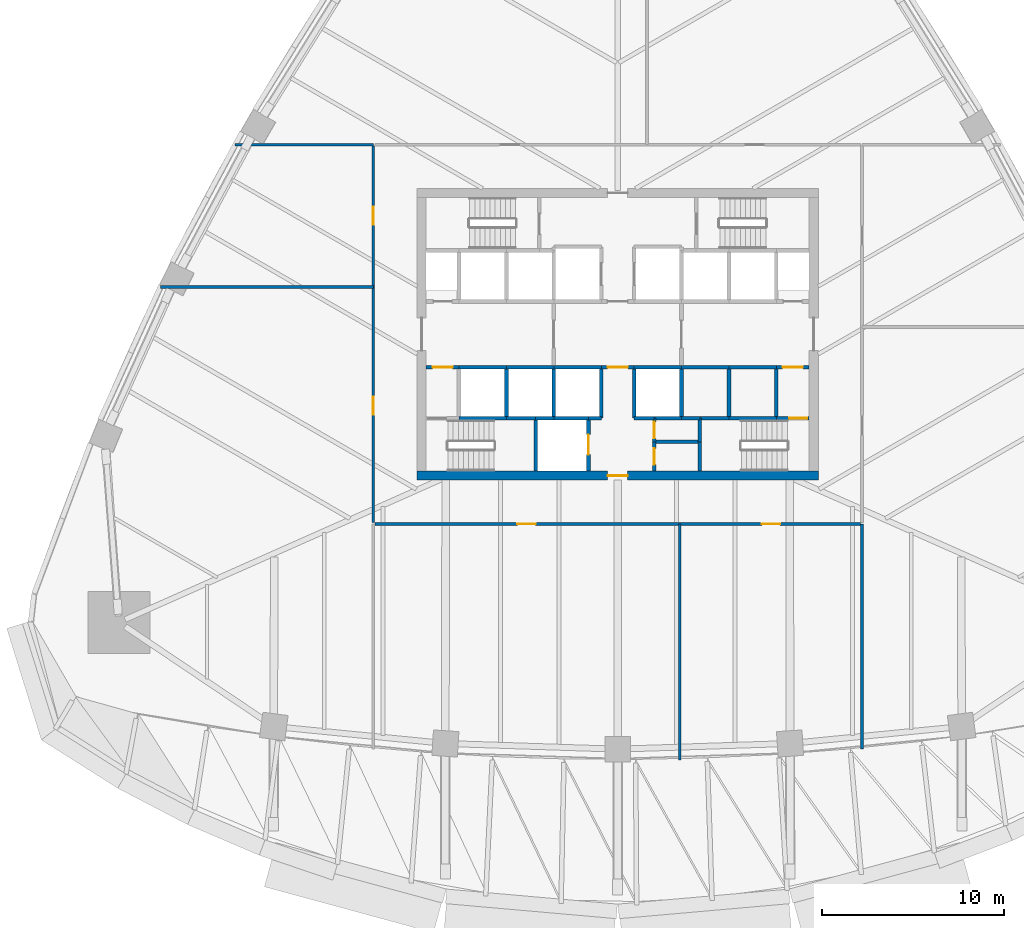
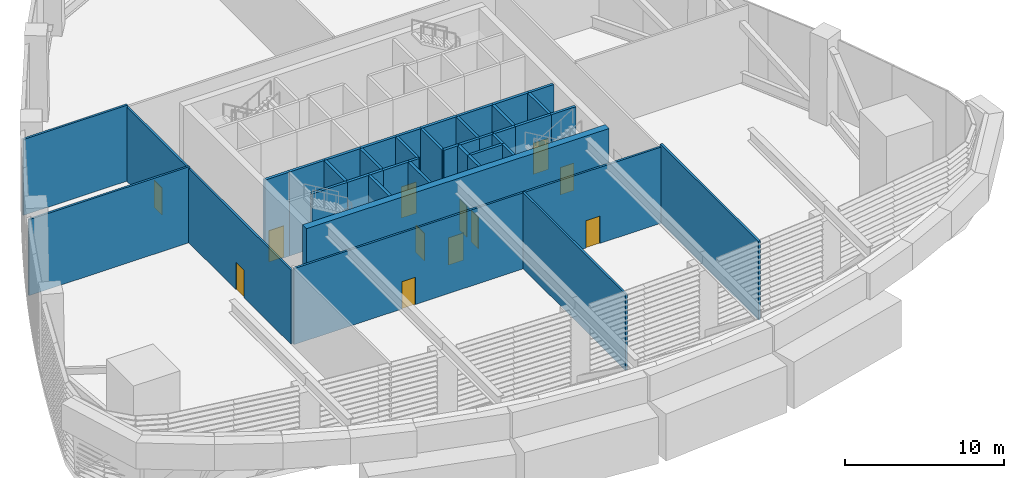
# One storey, part 4 of 15: 41 walls, 12 doors, 12 openings.
"""IFC4 building model written with IfcOpenShell, lengths in metres."""

from ifc_helpers import new_model, si_unit, direction, frame, frame_2d, origin, place, context, subcontext, project, spatial, rectangle, extrude, material, layer, layer_set, type_object, element, fill, save


model = new_model("IFC4")

# Units and contexts
model_context = context("Model", 3, precision=1e-05, world=origin(), true_north=direction((0.0, 1.0)))
body_context = subcontext(model_context, "Body", "Model", "MODEL_VIEW")
ifc_project = project(units=[si_unit("LENGTHUNIT", "METRE"), si_unit("AREAUNIT", "SQUARE_METRE"), si_unit("VOLUMEUNIT", "CUBIC_METRE"), si_unit("PLANEANGLEUNIT", "RADIAN"), si_unit("MASSUNIT", "GRAM", prefix="KILO")], contexts=[model_context])

# Site, building, storey
site_placement = place(None, origin())
site = spatial("IfcSite", under=ifc_project, at=site_placement, CompositionType="ELEMENT")
building_placement = place(site_placement, origin())
building = spatial("IfcBuilding", under=site, at=building_placement, Name="Sierra Prisma Convention Tower", CompositionType="ELEMENT")
storey_placement = place(building_placement, frame((0.0, 0.0, 34.199951171875)))
storey = spatial("IfcBuildingStorey", under=building, at=storey_placement, Name="L05", CompositionType="ELEMENT", Elevation=34.199951171875)

# Wall, opening, door
ifc_material_1 = material(Name="Concrete C30/37", Category="concrete")
ifc_layer_1 = layer(ifc_material_1, 0.199951171875)
ifc_layer_set_1 = layer_set([ifc_layer_1], Name="Core wall RC 200 C30/37")
wall_type_1 = type_object("IfcWallType", Name="Core wall RC 200 C30/37", PredefinedType="SOLIDWALL", material=ifc_layer_set_1)
wall_1_placement = place(storey_placement, frame((-10.5, -1.800048828125, 0.0), z_axis=(0.0, 0.0, 1.0), x_axis=(1.0, 0.0, 0.0)))
wall_1 = element("IfcWall", 1, at=wall_1_placement, inside=storey, type_object=wall_type_1, Name="Core wall L05 2", PredefinedType="SOLIDWALL", context=body_context, shape_type="SweptSolid", body=[
    extrude(rectangle(XDim=1.800048828125, YDim=0.199951171875, at=frame_2d((0.89990234375, 0.0))), origin(), (0.0, 0.0, 1.0), 6.449951171875),
])
opening_1_placement = place(wall_1_placement, frame((0.35009765625, 0.0, 0.0)))
opening_1 = element("IfcOpeningElement", 2, at=opening_1_placement, cuts=wall_1, Name="Opening L05-D006", PredefinedType="OPENING", context=body_context, shape_type="SweptSolid", body=[
    extrude(rectangle(XDim=1.10009765625, YDim=2.39990234375, at=frame_2d((0.550048828125, 1.199951171875))), frame((0.0, 0.10009765625, 0.0), z_axis=(0.0, -1.0, 0.0), x_axis=(1.0, 0.0, 0.0)), (0.0, 0.0, 1.0), 0.199951171875),
])
ifc_material_2 = material(Name="Steel fire door leaf", Category="steel")
door_type_1 = type_object("IfcDoorType", Name="Door 1100x2400 FD90S", OperationType="SINGLE_SWING_LEFT", PredefinedType="DOOR", material=ifc_material_2)
door_1_placement = place(opening_1_placement, origin())
door_1 = element("IfcDoor", 3, at=door_1_placement, inside=storey, type_object=door_type_1, Name="Door L05 14", OperationType="SINGLE_SWING_RIGHT", OverallHeight=2.39990234375, OverallWidth=1.10009765625, PredefinedType="DOOR", context=body_context, shape_type="SweptSolid", body=[
    extrude(rectangle(XDim=1.10009765625, YDim=2.39990234375, at=frame_2d((0.550048828125, 1.199951171875))), frame((0.0, 0.02490234375, 0.0), z_axis=(0.0, -1.0, 0.0), x_axis=(1.0, 0.0, 0.0)), (0.0, 0.0, 1.0), 0.050048828125),
])
fill(opening_1, door_1)

# Walls
for number, where, z_axis, x_axis, name in (
    (4, (-8.699951171875, -4.60009765625, 0.0), (0.0, 0.0, 1.0), (1.0, 0.0, 0.0), "Core wall L05 5"),
    (5, (-8.699951171875, -1.800048828125, 0.0), (0.0, 0.0, 1.0), (1.0, 0.0, 0.0), "Core wall L05 7"),
):
    element("IfcWall", number, at=place(storey_placement, frame(where, z_axis=z_axis, x_axis=x_axis)), inside=storey, type_object=wall_type_1, Name=name, PredefinedType="SOLIDWALL", context=body_context, shape_type="SweptSolid", body=[
        extrude(rectangle(XDim=2.599853515625, YDim=0.199951171875, at=frame_2d((1.2998046875, 0.0))), origin(), (0.0, 0.0, 1.0), 6.449951171875),
    ])
wall_2_placement = place(storey_placement, frame((-6.10009765625, -4.60009765625, 0.0), z_axis=(0.0, 0.0, 1.0), x_axis=(1.0, 0.0, 0.0)))
element("IfcWall", 6, at=wall_2_placement, inside=storey, type_object=wall_type_1, Name="Core wall L05 11", PredefinedType="SOLIDWALL", context=body_context, shape_type="SweptSolid", body=[
    extrude(rectangle(XDim=1.60009765625, YDim=0.199951171875, at=frame_2d((0.800048828125, 0.0))), origin(), (0.0, 0.0, 1.0), 6.449951171875),
])
wall_3_placement = place(storey_placement, frame((-6.10009765625, -4.60009765625, 0.0), z_axis=(0.0, 0.0, 1.0), x_axis=(0.0, 1.0, 0.0)))
element("IfcWall", 7, at=wall_3_placement, inside=storey, type_object=wall_type_1, Name="Core wall L05 12", PredefinedType="SOLIDWALL", context=body_context, shape_type="SweptSolid", body=[
    extrude(rectangle(XDim=2.800048828125, YDim=0.199951171875, at=frame_2d((1.39990234375, 0.0))), origin(), (0.0, 0.0, 1.0), 6.449951171875),
])
wall_4_placement = place(storey_placement, frame((-6.10009765625, -1.800048828125, 0.0), z_axis=(0.0, 0.0, 1.0), x_axis=(1.0, 0.0, 0.0)))
element("IfcWall", 8, at=wall_4_placement, inside=storey, type_object=wall_type_1, Name="Core wall L05 13", PredefinedType="SOLIDWALL", context=body_context, shape_type="SweptSolid", body=[
    extrude(rectangle(XDim=2.60009765625, YDim=0.199951171875, at=frame_2d((1.300048828125, 0.0))), origin(), (0.0, 0.0, 1.0), 6.449951171875),
])
wall_5_placement = place(storey_placement, frame((-4.5, -4.60009765625, 0.0), z_axis=(0.0, 0.0, 1.0), x_axis=(0.0, -1.0, 0.0)))
element("IfcWall", 9, at=wall_5_placement, inside=storey, type_object=wall_type_1, Name="Core wall L05 17", PredefinedType="SOLIDWALL", context=body_context, shape_type="SweptSolid", body=[
    extrude(rectangle(XDim=2.89990234375, YDim=0.199951171875, at=frame_2d((1.449951171875, 0.0))), origin(), (0.0, 0.0, 1.0), 6.449951171875),
])
wall_6_placement = place(storey_placement, frame((-4.5, -4.60009765625, 0.0), z_axis=(0.0, 0.0, 1.0), x_axis=(1.0, 0.0, 0.0)))
element("IfcWall", 10, at=wall_6_placement, inside=storey, type_object=wall_type_1, Name="Core wall L05 18", PredefinedType="SOLIDWALL", context=body_context, shape_type="SweptSolid", body=[
    extrude(rectangle(XDim=1.0, YDim=0.199951171875, at=frame_2d((0.5, 0.0))), origin(), (0.0, 0.0, 1.0), 6.449951171875),
])
wall_7_placement = place(storey_placement, frame((-3.5, -4.60009765625, 0.0), z_axis=(0.0, 0.0, 1.0), x_axis=(1.0, 0.0, 0.0)))
element("IfcWall", 11, at=wall_7_placement, inside=storey, type_object=wall_type_1, Name="Core wall L05 21", PredefinedType="SOLIDWALL", context=body_context, shape_type="SweptSolid", body=[
    extrude(rectangle(XDim=1.89990234375, YDim=0.199951171875, at=frame_2d((0.949951171875, 0.0))), origin(), (0.0, 0.0, 1.0), 6.449951171875),
])
wall_8_placement = place(storey_placement, frame((-3.5, -4.60009765625, 0.0), z_axis=(0.0, 0.0, 1.0), x_axis=(0.0, 1.0, 0.0)))
element("IfcWall", 12, at=wall_8_placement, inside=storey, type_object=wall_type_1, Name="Core wall L05 22", PredefinedType="SOLIDWALL", context=body_context, shape_type="SweptSolid", body=[
    extrude(rectangle(XDim=2.800048828125, YDim=0.199951171875, at=frame_2d((1.39990234375, 0.0))), origin(), (0.0, 0.0, 1.0), 6.449951171875),
])
wall_9_placement = place(storey_placement, frame((-3.5, -1.800048828125, 0.0), z_axis=(0.0, 0.0, 1.0), x_axis=(1.0, 0.0, 0.0)))
element("IfcWall", 13, at=wall_9_placement, inside=storey, type_object=wall_type_1, Name="Core wall L05 23", PredefinedType="SOLIDWALL", context=body_context, shape_type="SweptSolid", body=[
    extrude(rectangle(XDim=2.60009765625, YDim=0.199951171875, at=frame_2d((1.300048828125, 0.0))), origin(), (0.0, 0.0, 1.0), 6.449951171875),
])

# Wall, opening, door
wall_10_placement = place(storey_placement, frame((-1.60009765625, -7.5, 0.0), z_axis=(0.0, 0.0, 1.0), x_axis=(0.0, 1.0, 0.0)))
wall_10 = element("IfcWall", 14, at=wall_10_placement, inside=storey, type_object=wall_type_1, Name="Core wall L05 30", PredefinedType="SOLIDWALL", context=body_context, shape_type="SweptSolid", body=[
    extrude(rectangle(XDim=2.89990234375, YDim=0.199951171875, at=frame_2d((1.449951171875, 0.0))), origin(), (0.0, 0.0, 1.0), 6.449951171875),
])
opening_2_placement = place(wall_10_placement, frame((0.89990234375, 0.0, 0.0)))
opening_2 = element("IfcOpeningElement", 15, at=opening_2_placement, cuts=wall_10, Name="Opening L05-D003", PredefinedType="OPENING", context=body_context, shape_type="SweptSolid", body=[
    extrude(rectangle(XDim=1.10009765625, YDim=2.10009765625, at=frame_2d((0.550048828125, 1.050048828125))), frame((0.0, 0.10009765625, 0.0), z_axis=(0.0, -1.0, 0.0), x_axis=(1.0, 0.0, 0.0)), (0.0, 0.0, 1.0), 0.199951171875),
])
ifc_material_3 = material(Name="Steel fire door leaf", Category="steel")
door_type_2 = type_object("IfcDoorType", Name="Door 1100x2100 EI 90 sliding lift landing", OperationType="SLIDING_TO_LEFT", PredefinedType="DOOR", material=ifc_material_3)
door_2_placement = place(opening_2_placement, origin())
door_2 = element("IfcDoor", 16, at=door_2_placement, inside=storey, type_object=door_type_2, Name="Door L05 11", OperationType="SLIDING_TO_RIGHT", OverallHeight=2.10009765625, OverallWidth=1.10009765625, PredefinedType="DOOR", context=body_context, shape_type="SweptSolid", body=[
    extrude(rectangle(XDim=1.10009765625, YDim=2.10009765625, at=frame_2d((0.550048828125, 1.050048828125))), frame((0.0, 0.02490234375, 0.0), z_axis=(0.0, -1.0, 0.0), x_axis=(1.0, 0.0, 0.0)), (0.0, 0.0, 1.0), 0.050048828125),
])
fill(opening_2, door_2)

# Walls
wall_11_placement = place(storey_placement, frame((-1.60009765625, -4.60009765625, 0.0), z_axis=(0.0, 0.0, 1.0), x_axis=(1.0, 0.0, 0.0)))
element("IfcWall", 17, at=wall_11_placement, inside=storey, type_object=wall_type_1, Name="Core wall L05 31", PredefinedType="SOLIDWALL", context=body_context, shape_type="SweptSolid", body=[
    extrude(rectangle(XDim=0.7001953125, YDim=0.199951171875, at=frame_2d((0.35009765625, 0.0))), origin(), (0.0, 0.0, 1.0), 6.449951171875),
])
wall_12_placement = place(storey_placement, frame((-0.89990234375, -4.60009765625, 0.0), z_axis=(0.0, 0.0, 1.0), x_axis=(0.0, 1.0, 0.0)))
element("IfcWall", 18, at=wall_12_placement, inside=storey, type_object=wall_type_1, Name="Core wall L05 32", PredefinedType="SOLIDWALL", context=body_context, shape_type="SweptSolid", body=[
    extrude(rectangle(XDim=2.800048828125, YDim=0.199951171875, at=frame_2d((1.39990234375, 0.0))), origin(), (0.0, 0.0, 1.0), 6.449951171875),
])

# Wall, opening, door
wall_13_placement = place(storey_placement, frame((-0.89990234375, -1.800048828125, 0.0), z_axis=(0.0, 0.0, 1.0), x_axis=(1.0, 0.0, 0.0)))
wall_13 = element("IfcWall", 19, at=wall_13_placement, inside=storey, type_object=wall_type_1, Name="Core wall L05 33", PredefinedType="SOLIDWALL", context=body_context, shape_type="SweptSolid", body=[
    extrude(rectangle(XDim=1.7998046875, YDim=0.199951171875, at=frame_2d((0.89990234375, 0.0))), origin(), (0.0, 0.0, 1.0), 6.449951171875),
])
opening_3_placement = place(wall_13_placement, frame((0.35009765625, 0.0, 0.0)))
opening_3 = element("IfcOpeningElement", 20, at=opening_3_placement, cuts=wall_13, Name="Opening L05-D009", PredefinedType="OPENING", context=body_context, shape_type="SweptSolid", body=[
    extrude(rectangle(XDim=1.10009765625, YDim=2.39990234375, at=frame_2d((0.550048828125, 1.199951171875))), frame((0.0, 0.10009765625, 0.0), z_axis=(0.0, -1.0, 0.0), x_axis=(1.0, 0.0, 0.0)), (0.0, 0.0, 1.0), 0.199951171875),
])
ifc_material_4 = material(Name="Steel fire door leaf", Category="steel")
door_type_3 = type_object("IfcDoorType", Name="Door 1100x2400 FD30S", OperationType="SINGLE_SWING_LEFT", PredefinedType="DOOR", material=ifc_material_4)
door_3_placement = place(opening_3_placement, origin())
door_3 = element("IfcDoor", 21, at=door_3_placement, inside=storey, type_object=door_type_3, Name="Door L05 17", OperationType="SINGLE_SWING_RIGHT", OverallHeight=2.39990234375, OverallWidth=1.10009765625, PredefinedType="DOOR", context=body_context, shape_type="SweptSolid", body=[
    extrude(rectangle(XDim=1.10009765625, YDim=2.39990234375, at=frame_2d((0.550048828125, 1.199951171875))), frame((0.0, 0.02490234375, 0.0), z_axis=(0.0, -1.0, 0.0), x_axis=(1.0, 0.0, 0.0)), (0.0, 0.0, 1.0), 0.050048828125),
])
fill(opening_3, door_3)

# Walls
wall_14_placement = place(storey_placement, frame((0.89990234375, -1.800048828125, 0.0), z_axis=(0.0, 0.0, 1.0), x_axis=(1.0, 0.0, 0.0)))
element("IfcWall", 22, at=wall_14_placement, inside=storey, type_object=wall_type_1, Name="Core wall L05 35", PredefinedType="SOLIDWALL", context=body_context, shape_type="SweptSolid", body=[
    extrude(rectangle(XDim=2.60009765625, YDim=0.199951171875, at=frame_2d((1.300048828125, 0.0))), origin(), (0.0, 0.0, 1.0), 6.449951171875),
])
wall_15_placement = place(storey_placement, frame((0.89990234375, -1.800048828125, 0.0), z_axis=(0.0, 0.0, 1.0), x_axis=(0.0, -1.0, 0.0)))
element("IfcWall", 23, at=wall_15_placement, inside=storey, type_object=wall_type_1, Name="Core wall L05 36", PredefinedType="SOLIDWALL", context=body_context, shape_type="SweptSolid", body=[
    extrude(rectangle(XDim=2.800048828125, YDim=0.199951171875, at=frame_2d((1.39990234375, 0.0))), origin(), (0.0, 0.0, 1.0), 6.449951171875),
])
wall_16_placement = place(storey_placement, frame((0.89990234375, -4.60009765625, 0.0), z_axis=(0.0, 0.0, 1.0), x_axis=(1.0, 0.0, 0.0)))
element("IfcWall", 24, at=wall_16_placement, inside=storey, type_object=wall_type_1, Name="Core wall L05 37", PredefinedType="SOLIDWALL", context=body_context, shape_type="SweptSolid", body=[
    extrude(rectangle(XDim=1.10009765625, YDim=0.199951171875, at=frame_2d((0.550048828125, 0.0))), origin(), (0.0, 0.0, 1.0), 6.449951171875),
])

# Wall, opening, door
wall_17_placement = place(storey_placement, frame((2.0, -5.89990234375, 0.0), z_axis=(0.0, 0.0, 1.0), x_axis=(0.0, -1.0, 0.0)))
wall_17 = element("IfcWall", 25, at=wall_17_placement, inside=storey, type_object=wall_type_1, Name="Core wall L05 42", PredefinedType="SOLIDWALL", context=body_context, shape_type="SweptSolid", body=[
    extrude(rectangle(XDim=1.60009765625, YDim=0.199951171875, at=frame_2d((0.800048828125, 0.0))), origin(), (0.0, 0.0, 1.0), 6.449951171875),
])
opening_4_placement = place(wall_17_placement, frame((0.35009765625, 0.0, 0.0)))
opening_4 = element("IfcOpeningElement", 26, at=opening_4_placement, cuts=wall_17, Name="Opening L05-D016", PredefinedType="OPENING", context=body_context, shape_type="SweptSolid", body=[
    extrude(rectangle(XDim=0.89990234375, YDim=2.39990234375, at=frame_2d((0.449951171875, 1.199951171875))), frame((0.0, 0.10009765625, 0.0), z_axis=(0.0, -1.0, 0.0), x_axis=(1.0, 0.0, 0.0)), (0.0, 0.0, 1.0), 0.199951171875),
])
ifc_material_5 = material(Name="Steel fire door leaf", Category="steel")
door_type_4 = type_object("IfcDoorType", Name="Door 900x2400 FD30S", OperationType="SINGLE_SWING_LEFT", PredefinedType="DOOR", material=ifc_material_5)
door_4_placement = place(opening_4_placement, origin())
door_4 = element("IfcDoor", 27, at=door_4_placement, inside=storey, type_object=door_type_4, Name="Door L05 24", OperationType="SINGLE_SWING_RIGHT", OverallHeight=2.39990234375, OverallWidth=0.89990234375, PredefinedType="DOOR", context=body_context, shape_type="SweptSolid", body=[
    extrude(rectangle(XDim=0.89990234375, YDim=2.39990234375, at=frame_2d((0.449951171875, 1.199951171875))), frame((0.0, 0.02490234375, 0.0), z_axis=(0.0, -1.0, 0.0), x_axis=(1.0, 0.0, 0.0)), (0.0, 0.0, 1.0), 0.050048828125),
])
fill(opening_4, door_4)

# Wall
wall_18_placement = place(storey_placement, frame((4.5, -5.89990234375, 0.0), z_axis=(0.0, 0.0, 1.0), x_axis=(-1.0, 0.0, 0.0)))
element("IfcWall", 28, at=wall_18_placement, inside=storey, type_object=wall_type_1, Name="Core wall L05 43", PredefinedType="SOLIDWALL", context=body_context, shape_type="SweptSolid", body=[
    extrude(rectangle(XDim=2.5, YDim=0.199951171875, at=frame_2d((1.25, 0.0))), origin(), (0.0, 0.0, 1.0), 6.449951171875),
])

# Wall, opening, door
wall_19_placement = place(storey_placement, frame((2.0, -4.60009765625, 0.0), z_axis=(0.0, 0.0, 1.0), x_axis=(0.0, -1.0, 0.0)))
wall_19 = element("IfcWall", 29, at=wall_19_placement, inside=storey, type_object=wall_type_1, Name="Core wall L05 44", PredefinedType="SOLIDWALL", context=body_context, shape_type="SweptSolid", body=[
    extrude(rectangle(XDim=1.2998046875, YDim=0.199951171875, at=frame_2d((0.64990234375, 0.0))), origin(), (0.0, 0.0, 1.0), 6.449951171875),
])
opening_5_placement = place(wall_19_placement, frame((0.199951171875, 0.0, 0.0)))
opening_5 = element("IfcOpeningElement", 30, at=opening_5_placement, cuts=wall_19, Name="Opening L05-D017", PredefinedType="OPENING", context=body_context, shape_type="SweptSolid", body=[
    extrude(rectangle(XDim=0.89990234375, YDim=2.39990234375, at=frame_2d((0.449951171875, 1.199951171875))), frame((0.0, 0.10009765625, 0.0), z_axis=(0.0, -1.0, 0.0), x_axis=(1.0, 0.0, 0.0)), (0.0, 0.0, 1.0), 0.199951171875),
])
door_5_placement = place(opening_5_placement, origin())
door_5 = element("IfcDoor", 31, at=door_5_placement, inside=storey, type_object=door_type_4, Name="Door L05 25", OperationType="SINGLE_SWING_LEFT", OverallHeight=2.39990234375, OverallWidth=0.89990234375, PredefinedType="DOOR", context=body_context, shape_type="SweptSolid", body=[
    extrude(rectangle(XDim=0.89990234375, YDim=2.39990234375, at=frame_2d((0.449951171875, 1.199951171875))), frame((0.0, 0.02490234375, 0.0), z_axis=(0.0, -1.0, 0.0), x_axis=(1.0, 0.0, 0.0)), (0.0, 0.0, 1.0), 0.050048828125),
])
fill(opening_5, door_5)

# Walls
wall_20_placement = place(storey_placement, frame((3.5, -4.60009765625, 0.0), z_axis=(0.0, 0.0, 1.0), x_axis=(-1.0, 0.0, 0.0)))
element("IfcWall", 32, at=wall_20_placement, inside=storey, type_object=wall_type_1, Name="Core wall L05 45", PredefinedType="SOLIDWALL", context=body_context, shape_type="SweptSolid", body=[
    extrude(rectangle(XDim=1.5, YDim=0.199951171875, at=frame_2d((0.75, 0.0))), origin(), (0.0, 0.0, 1.0), 6.449951171875),
])
wall_21_placement = place(storey_placement, frame((4.5, -4.60009765625, 0.0), z_axis=(0.0, 0.0, 1.0), x_axis=(-1.0, 0.0, 0.0)))
element("IfcWall", 33, at=wall_21_placement, inside=storey, type_object=wall_type_1, Name="Core wall L05 46", PredefinedType="SOLIDWALL", context=body_context, shape_type="SweptSolid", body=[
    extrude(rectangle(XDim=1.0, YDim=0.199951171875, at=frame_2d((0.5, 0.0))), origin(), (0.0, 0.0, 1.0), 6.449951171875),
])
wall_22_placement = place(storey_placement, frame((3.5, -4.60009765625, 0.0), z_axis=(0.0, 0.0, 1.0), x_axis=(0.0, 1.0, 0.0)))
element("IfcWall", 34, at=wall_22_placement, inside=storey, type_object=wall_type_1, Name="Core wall L05 47", PredefinedType="SOLIDWALL", context=body_context, shape_type="SweptSolid", body=[
    extrude(rectangle(XDim=2.800048828125, YDim=0.199951171875, at=frame_2d((1.39990234375, 0.0))), origin(), (0.0, 0.0, 1.0), 6.449951171875),
])
wall_23_placement = place(storey_placement, frame((3.5, -1.800048828125, 0.0), z_axis=(0.0, 0.0, 1.0), x_axis=(1.0, 0.0, 0.0)))
element("IfcWall", 35, at=wall_23_placement, inside=storey, type_object=wall_type_1, Name="Core wall L05 48", PredefinedType="SOLIDWALL", context=body_context, shape_type="SweptSolid", body=[
    extrude(rectangle(XDim=2.60009765625, YDim=0.199951171875, at=frame_2d((1.300048828125, 0.0))), origin(), (0.0, 0.0, 1.0), 6.449951171875),
])
wall_24_placement = place(storey_placement, frame((4.5, -7.5, 0.0), z_axis=(0.0, 0.0, 1.0), x_axis=(0.0, 1.0, 0.0)))
element("IfcWall", 36, at=wall_24_placement, inside=storey, type_object=wall_type_1, Name="Core wall L05 55", PredefinedType="SOLIDWALL", context=body_context, shape_type="SweptSolid", body=[
    extrude(rectangle(XDim=1.60009765625, YDim=0.199951171875, at=frame_2d((0.800048828125, 0.0))), origin(), (0.0, 0.0, 1.0), 6.449951171875),
])
wall_25_placement = place(storey_placement, frame((4.5, -5.89990234375, 0.0), z_axis=(0.0, 0.0, 1.0), x_axis=(0.0, 1.0, 0.0)))
element("IfcWall", 37, at=wall_25_placement, inside=storey, type_object=wall_type_1, Name="Core wall L05 56", PredefinedType="SOLIDWALL", context=body_context, shape_type="SweptSolid", body=[
    extrude(rectangle(XDim=1.2998046875, YDim=0.199951171875, at=frame_2d((0.64990234375, 0.0))), origin(), (0.0, 0.0, 1.0), 6.449951171875),
])
wall_26_placement = place(storey_placement, frame((4.5, -4.60009765625, 0.0), z_axis=(0.0, 0.0, 1.0), x_axis=(1.0, 0.0, 0.0)))
element("IfcWall", 38, at=wall_26_placement, inside=storey, type_object=wall_type_1, Name="Core wall L05 57", PredefinedType="SOLIDWALL", context=body_context, shape_type="SweptSolid", body=[
    extrude(rectangle(XDim=1.60009765625, YDim=0.199951171875, at=frame_2d((0.800048828125, 0.0))), origin(), (0.0, 0.0, 1.0), 6.449951171875),
])
wall_27_placement = place(storey_placement, frame((6.10009765625, -4.60009765625, 0.0), z_axis=(0.0, 0.0, 1.0), x_axis=(1.0, 0.0, 0.0)))
element("IfcWall", 39, at=wall_27_placement, inside=storey, type_object=wall_type_1, Name="Core wall L05 58", PredefinedType="SOLIDWALL", context=body_context, shape_type="SweptSolid", body=[
    extrude(rectangle(XDim=2.599853515625, YDim=0.199951171875, at=frame_2d((1.2998046875, 0.0))), origin(), (0.0, 0.0, 1.0), 6.449951171875),
])
wall_28_placement = place(storey_placement, frame((6.10009765625, -4.60009765625, 0.0), z_axis=(0.0, 0.0, 1.0), x_axis=(0.0, 1.0, 0.0)))
element("IfcWall", 40, at=wall_28_placement, inside=storey, type_object=wall_type_1, Name="Core wall L05 59", PredefinedType="SOLIDWALL", context=body_context, shape_type="SweptSolid", body=[
    extrude(rectangle(XDim=2.800048828125, YDim=0.199951171875, at=frame_2d((1.39990234375, 0.0))), origin(), (0.0, 0.0, 1.0), 6.449951171875),
])
wall_29_placement = place(storey_placement, frame((6.10009765625, -1.800048828125, 0.0), z_axis=(0.0, 0.0, 1.0), x_axis=(1.0, 0.0, 0.0)))
element("IfcWall", 41, at=wall_29_placement, inside=storey, type_object=wall_type_1, Name="Core wall L05 60", PredefinedType="SOLIDWALL", context=body_context, shape_type="SweptSolid", body=[
    extrude(rectangle(XDim=2.599853515625, YDim=0.199951171875, at=frame_2d((1.2998046875, 0.0))), origin(), (0.0, 0.0, 1.0), 6.449951171875),
])

# Wall, opening, door
wall_30_placement = place(storey_placement, frame((8.699951171875, -4.60009765625, 0.0), z_axis=(0.0, 0.0, 1.0), x_axis=(1.0, 0.0, 0.0)))
wall_30 = element("IfcWall", 42, at=wall_30_placement, inside=storey, type_object=wall_type_1, Name="Core wall L05 64", PredefinedType="SOLIDWALL", context=body_context, shape_type="SweptSolid", body=[
    extrude(rectangle(XDim=1.800048828125, YDim=0.199951171875, at=frame_2d((0.89990234375, 0.0))), origin(), (0.0, 0.0, 1.0), 6.449951171875),
])
opening_6_placement = place(wall_30_placement, frame((0.699951171875, 0.0, 0.0)))
opening_6 = element("IfcOpeningElement", 43, at=opening_6_placement, cuts=wall_30, Name="Opening L05-D013", PredefinedType="OPENING", context=body_context, shape_type="SweptSolid", body=[
    extrude(rectangle(XDim=1.0, YDim=2.10009765625, at=frame_2d((0.5, 1.050048828125))), frame((0.0, 0.10009765625, 0.0), z_axis=(0.0, -1.0, 0.0), x_axis=(1.0, 0.0, 0.0)), (0.0, 0.0, 1.0), 0.199951171875),
])
ifc_material_6 = material(Name="Steel fire door leaf", Category="steel")
door_type_5 = type_object("IfcDoorType", Name="Door 1000x2100 FD90S", OperationType="SINGLE_SWING_LEFT", PredefinedType="DOOR", material=ifc_material_6)
door_6_placement = place(opening_6_placement, origin())
door_6 = element("IfcDoor", 44, at=door_6_placement, inside=storey, type_object=door_type_5, Name="Door L05 21", OperationType="SINGLE_SWING_RIGHT", OverallHeight=2.10009765625, OverallWidth=1.0, PredefinedType="DOOR", context=body_context, shape_type="SweptSolid", body=[
    extrude(rectangle(XDim=1.0, YDim=2.10009765625, at=frame_2d((0.5, 1.050048828125))), frame((0.0, 0.02490234375, 0.0), z_axis=(0.0, -1.0, 0.0), x_axis=(1.0, 0.0, 0.0)), (0.0, 0.0, 1.0), 0.050048828125),
])
fill(opening_6, door_6)

# Wall
wall_31_placement = place(storey_placement, frame((8.699951171875, -1.800048828125, 0.0), z_axis=(0.0, 0.0, 1.0), x_axis=(0.0, -1.0, 0.0)))
element("IfcWall", 45, at=wall_31_placement, inside=storey, type_object=wall_type_1, Name="Core wall L05 65", PredefinedType="SOLIDWALL", context=body_context, shape_type="SweptSolid", body=[
    extrude(rectangle(XDim=2.800048828125, YDim=0.199951171875, at=frame_2d((1.39990234375, 0.0))), origin(), (0.0, 0.0, 1.0), 6.449951171875),
])

# Wall, opening, door
wall_32_placement = place(storey_placement, frame((8.699951171875, -1.800048828125, 0.0), z_axis=(0.0, 0.0, 1.0), x_axis=(1.0, 0.0, 0.0)))
wall_32 = element("IfcWall", 46, at=wall_32_placement, inside=storey, type_object=wall_type_1, Name="Core wall L05 66", PredefinedType="SOLIDWALL", context=body_context, shape_type="SweptSolid", body=[
    extrude(rectangle(XDim=1.800048828125, YDim=0.199951171875, at=frame_2d((0.89990234375, 0.0))), origin(), (0.0, 0.0, 1.0), 6.449951171875),
])
opening_7_placement = place(wall_32_placement, frame((0.35009765625, 0.0, 0.0)))
opening_7 = element("IfcOpeningElement", 47, at=opening_7_placement, cuts=wall_32, Name="Opening L05-D007", PredefinedType="OPENING", context=body_context, shape_type="SweptSolid", body=[
    extrude(rectangle(XDim=1.10009765625, YDim=2.39990234375, at=frame_2d((0.550048828125, 1.199951171875))), frame((0.0, 0.10009765625, 0.0), z_axis=(0.0, -1.0, 0.0), x_axis=(1.0, 0.0, 0.0)), (0.0, 0.0, 1.0), 0.199951171875),
])
door_7_placement = place(opening_7_placement, origin())
door_7 = element("IfcDoor", 48, at=door_7_placement, inside=storey, type_object=door_type_1, Name="Door L05 15", OperationType="SINGLE_SWING_LEFT", OverallHeight=2.39990234375, OverallWidth=1.10009765625, PredefinedType="DOOR", context=body_context, shape_type="SweptSolid", body=[
    extrude(rectangle(XDim=1.10009765625, YDim=2.39990234375, at=frame_2d((0.550048828125, 1.199951171875))), frame((0.0, 0.02490234375, 0.0), z_axis=(0.0, -1.0, 0.0), x_axis=(1.0, 0.0, 0.0)), (0.0, 0.0, 1.0), 0.050048828125),
])
fill(opening_7, door_7)

ifc_material_7 = material(Name="Concrete C70/85", Category="concrete")
ifc_layer_2 = layer(ifc_material_7, 0.5)
ifc_layer_set_2 = layer_set([ifc_layer_2], Name="Core wall RC 500 C70/85")
wall_type_2 = type_object("IfcWallType", Name="Core wall RC 500 C70/85", PredefinedType="SHEAR", material=ifc_layer_set_2)
wall_33_placement = place(storey_placement, frame((-11.0, -7.75, 0.0), z_axis=(0.0, 0.0, 1.0), x_axis=(1.0, 0.0, 0.0)))
wall_33 = element("IfcWall", 49, at=wall_33_placement, inside=storey, type_object=wall_type_2, Name="Core wall S L05", PredefinedType="SHEAR", context=body_context, shape_type="SweptSolid", body=[
    extrude(rectangle(XDim=22.0, YDim=0.5, at=frame_2d((11.0, 0.0))), origin(), (0.0, 0.0, 1.0), 6.60009765625),
])
opening_8_placement = place(wall_33_placement, frame((10.449951171875, 0.0, 0.0)))
opening_8 = element("IfcOpeningElement", 50, at=opening_8_placement, cuts=wall_33, Name="Opening L05-D028", PredefinedType="OPENING", context=body_context, shape_type="SweptSolid", body=[
    extrude(rectangle(XDim=1.10009765625, YDim=2.10009765625, at=frame_2d((0.550048828125, 1.050048828125))), frame((0.0, 0.25, 0.0), z_axis=(0.0, -1.0, 0.0), x_axis=(1.0, 0.0, 0.0)), (0.0, 0.0, 1.0), 0.5),
])
ifc_material_8 = material(Name="Steel fire door leaf", Category="steel")
door_type_6 = type_object("IfcDoorType", Name="Door 1100x2100 FD30S", OperationType="SINGLE_SWING_LEFT", PredefinedType="DOOR", material=ifc_material_8)
door_8_placement = place(opening_8_placement, origin())
door_8 = element("IfcDoor", 51, at=door_8_placement, inside=storey, type_object=door_type_6, Name="Door L05 29", OperationType="SINGLE_SWING_LEFT", OverallHeight=2.10009765625, OverallWidth=1.10009765625, PredefinedType="DOOR", context=body_context, shape_type="SweptSolid", body=[
    extrude(rectangle(XDim=1.10009765625, YDim=2.10009765625, at=frame_2d((0.550048828125, 1.050048828125))), frame((0.0, 0.02490234375, 0.0), z_axis=(0.0, -1.0, 0.0), x_axis=(1.0, 0.0, 0.0)), (0.0, 0.0, 1.0), 0.050048828125),
])
fill(opening_8, door_8)

# Wall, openings, doors
ifc_material_9 = material(Name="Gypsum board partition", Category="gypsum")
ifc_layer_3 = layer(ifc_material_9, 0.14990234375)
ifc_layer_set_3 = layer_set([ifc_layer_3], Name="Corridor wall 150 gypsum EI 60")
wall_type_3 = type_object("IfcWallType", Name="Corridor wall 150 gypsum EI 60", PredefinedType="PARTITIONING", material=ifc_layer_set_3)
wall_34_placement = place(storey_placement, frame((-13.39990234375, 10.320068359375, 0.0), z_axis=(0.0, 0.0, 1.0), x_axis=(0.0, -1.0, 0.0)))
wall_34 = element("IfcWall", 52, at=wall_34_placement, inside=storey, type_object=wall_type_3, Name="Partition L05 corr 1", PredefinedType="PARTITIONING", context=body_context, shape_type="SweptSolid", body=[
    extrude(rectangle(XDim=20.64013671875, YDim=0.14990234375, at=frame_2d((10.320068359375, 0.0))), origin(), (0.0, 0.0, 1.0), 5.697021484375),
])
opening_9_placement = place(wall_34_placement, frame((3.320068359375, 0.0, 0.0)))
opening_9 = element("IfcOpeningElement", 53, at=opening_9_placement, cuts=wall_34, Name="Opening L05-D021", PredefinedType="OPENING", context=body_context, shape_type="SweptSolid", body=[
    extrude(rectangle(XDim=1.0, YDim=2.10009765625, at=frame_2d((0.5, 1.050048828125))), frame((0.0, 0.074951171875, 0.0), z_axis=(0.0, -1.0, 0.0), x_axis=(1.0, 0.0, 0.0)), (0.0, 0.0, 1.0), 0.14990234375),
])
opening_10_placement = place(wall_34_placement, frame((13.72998046875, 0.0, 0.0)))
opening_10 = element("IfcOpeningElement", 54, at=opening_10_placement, cuts=wall_34, Name="Opening L05-D022", PredefinedType="OPENING", context=body_context, shape_type="SweptSolid", body=[
    extrude(rectangle(XDim=1.0, YDim=2.10009765625, at=frame_2d((0.5, 1.050048828125))), frame((0.0, 0.074951171875, 0.0), z_axis=(0.0, -1.0, 0.0), x_axis=(1.0, 0.0, 0.0)), (0.0, 0.0, 1.0), 0.14990234375),
])
ifc_material_10 = material(Name="Steel fire door leaf", Category="steel")
door_type_7 = type_object("IfcDoorType", Name="Door 1000x2100 FD60S", OperationType="SINGLE_SWING_LEFT", PredefinedType="DOOR", material=ifc_material_10)
door_9_placement = place(opening_9_placement, origin())
door_9 = element("IfcDoor", 55, at=door_9_placement, inside=storey, type_object=door_type_7, Name="Door L05 4", OperationType="SINGLE_SWING_RIGHT", OverallHeight=2.10009765625, OverallWidth=1.0, PredefinedType="DOOR", context=body_context, shape_type="SweptSolid", body=[
    extrude(rectangle(XDim=1.0, YDim=2.10009765625, at=frame_2d((0.5, 1.050048828125))), frame((0.0, 0.02490234375, 0.0), z_axis=(0.0, -1.0, 0.0), x_axis=(1.0, 0.0, 0.0)), (0.0, 0.0, 1.0), 0.050048828125),
])
fill(opening_9, door_9)
door_10_placement = place(opening_10_placement, origin())
door_10 = element("IfcDoor", 56, at=door_10_placement, inside=storey, type_object=door_type_7, Name="Door L05 5", OperationType="SINGLE_SWING_RIGHT", OverallHeight=2.10009765625, OverallWidth=1.0, PredefinedType="DOOR", context=body_context, shape_type="SweptSolid", body=[
    extrude(rectangle(XDim=1.0, YDim=2.10009765625, at=frame_2d((0.5, 1.050048828125))), frame((0.0, 0.02490234375, 0.0), z_axis=(0.0, -1.0, 0.0), x_axis=(1.0, 0.0, 0.0)), (0.0, 0.0, 1.0), 0.050048828125),
])
fill(opening_10, door_10)

wall_35_placement = place(storey_placement, frame((-13.320068359375, -10.39990234375, 0.0), z_axis=(0.0, 0.0, 1.0), x_axis=(1.0, 0.0, 0.0)))
wall_35 = element("IfcWall", 57, at=wall_35_placement, inside=storey, type_object=wall_type_3, Name="Partition L05 corr 2", PredefinedType="PARTITIONING", context=body_context, shape_type="SweptSolid", body=[
    extrude(rectangle(XDim=26.64013671875, YDim=0.14990234375, at=frame_2d((13.320068359375, 0.0))), origin(), (0.0, 0.0, 1.0), 5.84716796875),
])
opening_11_placement = place(wall_35_placement, frame((7.820068359375, 0.0, 0.0)))
opening_11 = element("IfcOpeningElement", 58, at=opening_11_placement, cuts=wall_35, Name="Opening L05-D023", PredefinedType="OPENING", context=body_context, shape_type="SweptSolid", body=[
    extrude(rectangle(XDim=1.0, YDim=2.10009765625, at=frame_2d((0.5, 1.050048828125))), frame((0.0, 0.074951171875, 0.0), z_axis=(0.0, -1.0, 0.0), x_axis=(1.0, 0.0, 0.0)), (0.0, 0.0, 1.0), 0.14990234375),
])
opening_12_placement = place(wall_35_placement, frame((21.219970703125, 0.0, 0.0)))
opening_12 = element("IfcOpeningElement", 59, at=opening_12_placement, cuts=wall_35, Name="Opening L05-D024", PredefinedType="OPENING", context=body_context, shape_type="SweptSolid", body=[
    extrude(rectangle(XDim=1.0, YDim=2.10009765625, at=frame_2d((0.5, 1.050048828125))), frame((0.0, 0.074951171875, 0.0), z_axis=(0.0, -1.0, 0.0), x_axis=(1.0, 0.0, 0.0)), (0.0, 0.0, 1.0), 0.14990234375),
])
door_11_placement = place(opening_11_placement, origin())
door_11 = element("IfcDoor", 60, at=door_11_placement, inside=storey, type_object=door_type_7, Name="Door L05 6", OperationType="SINGLE_SWING_RIGHT", OverallHeight=2.10009765625, OverallWidth=1.0, PredefinedType="DOOR", context=body_context, shape_type="SweptSolid", body=[
    extrude(rectangle(XDim=1.0, YDim=2.10009765625, at=frame_2d((0.5, 1.050048828125))), frame((0.0, 0.02490234375, 0.0), z_axis=(0.0, -1.0, 0.0), x_axis=(1.0, 0.0, 0.0)), (0.0, 0.0, 1.0), 0.050048828125),
])
fill(opening_11, door_11)
door_12_placement = place(opening_12_placement, origin())
door_12 = element("IfcDoor", 61, at=door_12_placement, inside=storey, type_object=door_type_7, Name="Door L05 7", OperationType="SINGLE_SWING_LEFT", OverallHeight=2.10009765625, OverallWidth=1.0, PredefinedType="DOOR", context=body_context, shape_type="SweptSolid", body=[
    extrude(rectangle(XDim=1.0, YDim=2.10009765625, at=frame_2d((0.5, 1.050048828125))), frame((0.0, 0.02490234375, 0.0), z_axis=(0.0, -1.0, 0.0), x_axis=(1.0, 0.0, 0.0)), (0.0, 0.0, 1.0), 0.050048828125),
])
fill(opening_12, door_12)

# Walls
ifc_material_11 = material(Name="Gypsum board partition", Category="gypsum")
ifc_layer_4 = layer(ifc_material_11, 0.14990234375)
ifc_layer_set_4 = layer_set([ifc_layer_4], Name="Party wall 150 gypsum")
wall_type_4 = type_object("IfcWallType", Name="Party wall 150 gypsum", PredefinedType="PARTITIONING", material=ifc_layer_set_4)
wall_36_placement = place(storey_placement, frame((-13.39990234375, 2.60009765625, 0.0), z_axis=(0.0, 0.0, 1.0), x_axis=(-1.0, 0.0, 0.0)))
element("IfcWall", 62, at=wall_36_placement, inside=storey, type_object=wall_type_4, Name="Partition L05 party 1", PredefinedType="PARTITIONING", context=body_context, shape_type="SweptSolid", body=[
    extrude(rectangle(XDim=11.669677734375, YDim=0.14990234375, at=frame_2d((5.8349609375, 0.0))), origin(), (0.0, 0.0, 1.0), 5.833984375),
])
wall_37_placement = place(storey_placement, frame((-13.39990234375, 10.39990234375, 0.0), z_axis=(0.0, 0.0, 1.0), x_axis=(-1.0, 0.0, 0.0)))
element("IfcWall", 63, at=wall_37_placement, inside=storey, type_object=wall_type_4, Name="Partition L05 party 2", PredefinedType="PARTITIONING", context=body_context, shape_type="SweptSolid", body=[
    extrude(rectangle(XDim=7.580810546875, YDim=0.14990234375, at=frame_2d((3.79052734375, 0.0))), origin(), (0.0, 0.0, 1.0), 5.833984375),
])
wall_38_placement = place(storey_placement, frame((3.39990234375, -10.39990234375, 0.0), z_axis=(0.0, 0.0, 1.0), x_axis=(0.0, -1.0, 0.0)))
element("IfcWall", 64, at=wall_38_placement, inside=storey, type_object=wall_type_4, Name="Partition L05 party 5", PredefinedType="PARTITIONING", context=body_context, shape_type="SweptSolid", body=[
    extrude(rectangle(XDim=12.937744140625, YDim=0.14990234375, at=frame_2d((6.46875, 0.0))), origin(), (0.0, 0.0, 1.0), 5.84716796875),
])
wall_39_placement = place(storey_placement, frame((13.39990234375, -10.39990234375, 0.0), z_axis=(0.0, 0.0, 1.0), x_axis=(0.0, -1.0, 0.0)))
element("IfcWall", 65, at=wall_39_placement, inside=storey, type_object=wall_type_4, Name="Partition L05 party 6", PredefinedType="PARTITIONING", context=body_context, shape_type="SweptSolid", body=[
    extrude(rectangle(XDim=12.3544921875, YDim=0.14990234375, at=frame_2d((6.17724609375, 0.0))), origin(), (0.0, 0.0, 1.0), 6.050048828125),
])

save(model, "model.ifc")
